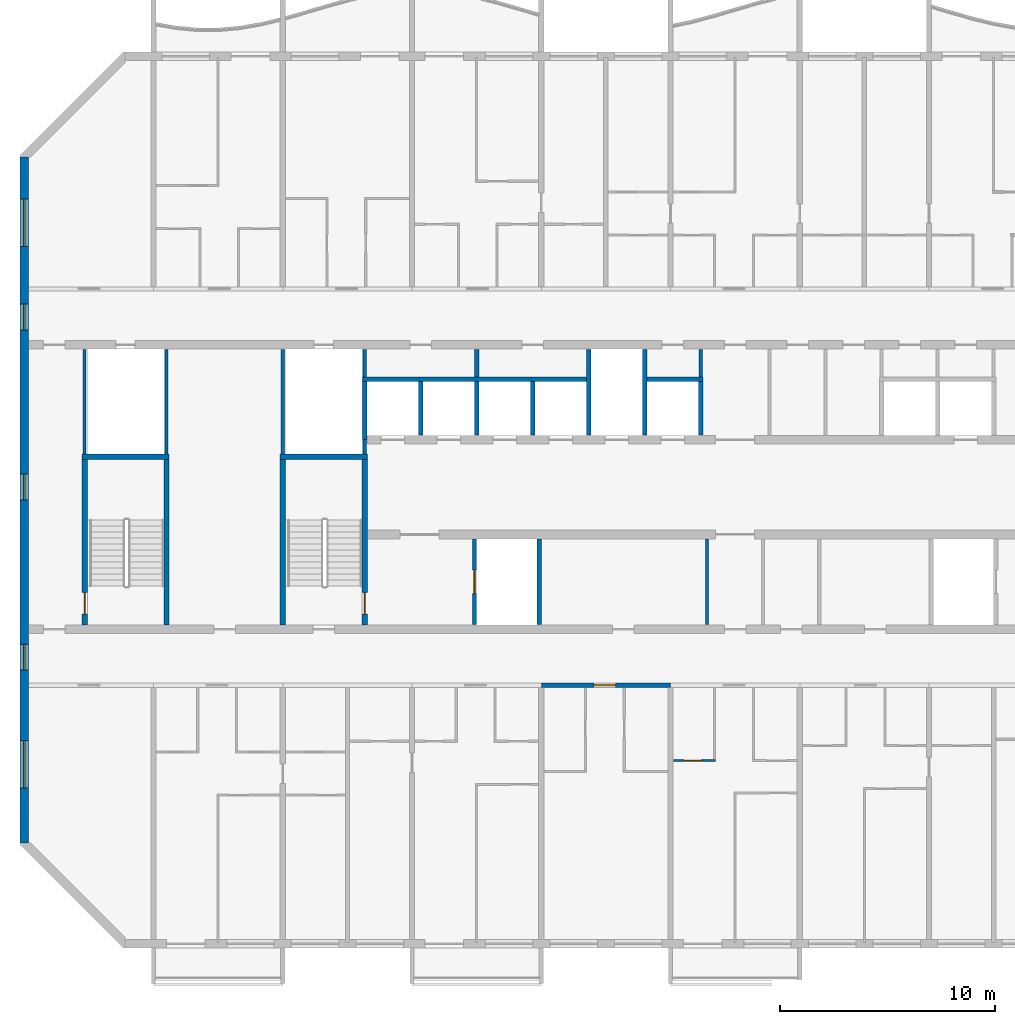
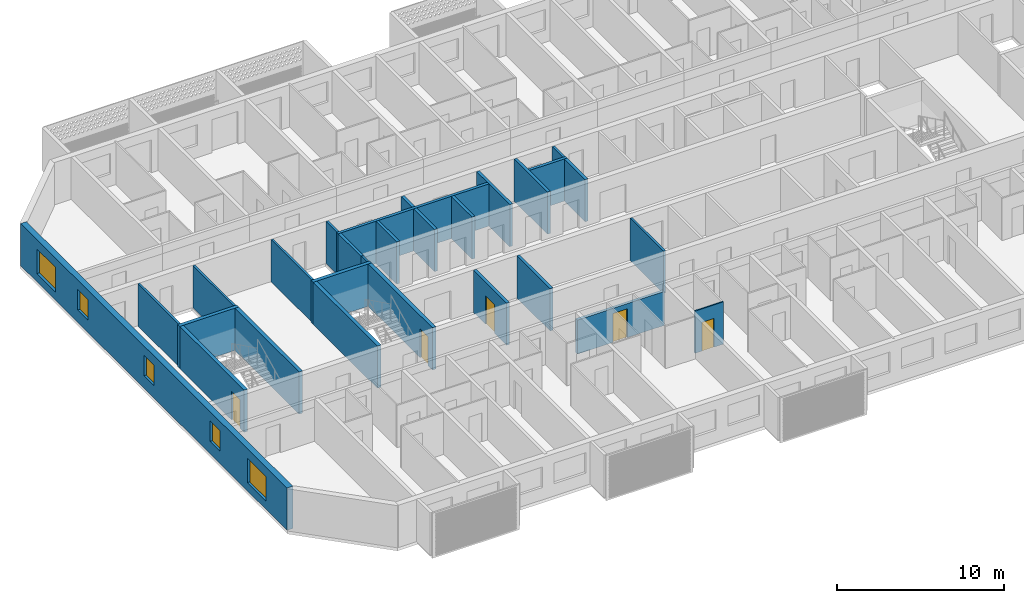
# One storey, part 3 of 27: 28 walls, 5 doors, 5 windows, 10 openings.
"""IFC4 building model written with IfcOpenShell, lengths in metres."""

from ifc_helpers import new_model, si_unit, direction, frame, frame_2d, origin, place, context, subcontext, project, spatial, rectangle, extrude, material, layer, layer_set, type_object, element, fill, save


model = new_model("IFC4")

# Units and contexts
model_context = context("Model", 3, precision=1e-05, world=origin(), true_north=direction((0.0, 1.0)))
body_context = subcontext(model_context, "Body", "Model", "MODEL_VIEW")
ifc_project = project(units=[si_unit("LENGTHUNIT", "METRE"), si_unit("AREAUNIT", "SQUARE_METRE"), si_unit("VOLUMEUNIT", "CUBIC_METRE"), si_unit("PLANEANGLEUNIT", "RADIAN"), si_unit("MASSUNIT", "GRAM", prefix="KILO")], contexts=[model_context])

# Site, building, storey
site_placement = place(None, origin())
site = spatial("IfcSite", under=ifc_project, at=site_placement, CompositionType="ELEMENT")
building_placement = place(site_placement, origin())
building = spatial("IfcBuilding", under=site, at=building_placement, Name="Poui Terraces", CompositionType="ELEMENT")
storey_placement = place(building_placement, frame((0.0, 0.0, 204.89990234375)))
storey = spatial("IfcBuildingStorey", under=building, at=storey_placement, Name="L57", CompositionType="ELEMENT", Elevation=204.89990234375)

# Walls
ifc_material_1 = material(Name="Fire-rated plasterboard wall")
ifc_layer_1 = layer(ifc_material_1, 0.14990234375)
ifc_layer_set_1 = layer_set([ifc_layer_1], Name="Fire-rated plasterboard wall")
wall_type_1 = type_object("IfcWallType", Name="CORRIDOR WALL 150", PredefinedType="PARTITIONING", material=ifc_layer_set_1)
wall_1_placement = place(storey_placement, frame((49.39990234375, 26.300048828125, 0.0), z_axis=(0.0, 0.0, 1.0), x_axis=(0.0, 1.0, 0.0)))
element("IfcWall", 1, at=wall_1_placement, inside=storey, type_object=wall_type_1, Name="CORRIDOR WALL 150", PredefinedType="PARTITIONING", context=body_context, shape_type="SweptSolid", body=[
    extrude(rectangle(XDim=1.2900390625, YDim=0.14990234375, at=frame_2d((0.64501953125, 0.0))), origin(), (0.0, 0.0, 1.0), 3.080078125),
])
wall_2_placement = place(storey_placement, frame((49.699951171875, 14.81005859375, 0.0), z_axis=(0.0, 0.0, 1.0), x_axis=(0.0, 1.0, 0.0)))
element("IfcWall", 2, at=wall_2_placement, inside=storey, type_object=wall_type_1, Name="CORRIDOR WALL 150", PredefinedType="PARTITIONING", context=body_context, shape_type="SweptSolid", body=[
    extrude(rectangle(XDim=3.97998046875, YDim=0.14990234375, at=frame_2d((1.989990234375, 0.0))), origin(), (0.0, 0.0, 1.0), 3.080078125),
])

# Wall, opening, door
ifc_material_2 = material(Name="Concrete 50 MPa", Category="concrete")
ifc_layer_2 = layer(ifc_material_2, 0.199951171875)
ifc_layer_set_2 = layer_set([ifc_layer_2], Name="Concrete 50 MPa")
wall_type_2 = type_object("IfcWallType", Name="CORRIDOR WALL 200 50MPa", PredefinedType="SHEAR", material=ifc_layer_set_2)
wall_3_placement = place(storey_placement, frame((42.0, 12.0, 0.0), z_axis=(0.0, 0.0, 1.0), x_axis=(1.0, 0.0, 0.0)))
wall_3 = element("IfcWall", 3, at=wall_3_placement, inside=storey, type_object=wall_type_2, Name="CORRIDOR WALL LINE B BAY 5", PredefinedType="SHEAR", context=body_context, shape_type="SweptSolid", body=[
    extrude(rectangle(XDim=6.0, YDim=0.199951171875, at=frame_2d((3.0, 0.0))), origin(), (0.0, 0.0, 1.0), 2.47998046875),
])
opening_1_placement = place(wall_3_placement, frame((2.449951171875, 0.0, 0.0)))
opening_1 = element("IfcOpeningElement", 4, at=opening_1_placement, cuts=wall_3, Name="Opening FD30S", PredefinedType="OPENING", context=body_context, shape_type="SweptSolid", body=[
    extrude(rectangle(XDim=1.0, YDim=2.10009765625, at=frame_2d((0.5, 1.050048828125))), frame((0.0, 0.10986328125, 0.0), z_axis=(0.0, -1.0, 0.0), x_axis=(1.0, 0.0, 0.0)), (0.0, 0.0, 1.0), 0.219970703125),
])
ifc_material_3 = material(Name="Steel fire door", Category="steel")
door_type_1 = type_object("IfcDoorType", Name="FLAT ENTRANCE DOOR 1000 X 2100", OperationType="NOTDEFINED", PredefinedType="DOOR", material=ifc_material_3)
door_1_placement = place(opening_1_placement, frame((1.0, 0.0, 0.0), z_axis=(0.0, 0.0, 1.0), x_axis=(-1.0, 0.0, 0.0)))
door_1 = element("IfcDoor", 5, at=door_1_placement, inside=storey, type_object=door_type_1, Name="FLAT ENTRANCE DOOR 081", OperationType="SINGLE_SWING_RIGHT", OverallHeight=2.10009765625, OverallWidth=1.0, PredefinedType="DOOR", context=body_context, shape_type="SweptSolid", body=[
    extrude(rectangle(XDim=1.0, YDim=2.10009765625, at=frame_2d((0.5, 1.050048828125))), frame((0.0, 0.02490234375, 0.0), z_axis=(0.0, -1.0, 0.0), x_axis=(1.0, 0.0, 0.0)), (0.0, 0.0, 1.0), 0.050048828125),
])
fill(opening_1, door_1)

# Wall, openings, windows
ifc_layer_3 = layer(ifc_material_2, 0.39990234375)
ifc_layer_set_3 = layer_set([ifc_layer_3], Name="Concrete 50 MPa")
wall_type_3 = type_object("IfcWallType", Name="END WALL 400 50MPa", PredefinedType="SHEAR", material=ifc_layer_set_3)
wall_4_placement = place(storey_placement, frame((18.0, 4.682861328125, 0.0), z_axis=(0.0, 0.0, 1.0), x_axis=(0.0, 1.0, 0.0)))
wall_4 = element("IfcWall", 6, at=wall_4_placement, inside=storey, type_object=wall_type_3, Name="END WALL WEST", PredefinedType="SHEAR", context=body_context, shape_type="SweptSolid", body=[
    extrude(rectangle(XDim=31.834228515625, YDim=0.39990234375, at=frame_2d((15.9169921875, 0.0))), origin(), (0.0, 0.0, 1.0), 3.080078125),
])
opening_2_placement = place(wall_4_placement, frame((23.817138671875, 0.0, 0.89990234375)))
opening_2 = element("IfcOpeningElement", 7, at=opening_2_placement, cuts=wall_4, Name="Opening W2", PredefinedType="OPENING", context=body_context, shape_type="SweptSolid", body=[
    extrude(rectangle(XDim=1.199951171875, YDim=1.5, at=frame_2d((0.60009765625, 0.75))), frame((0.0, 0.2099609375, 0.0), z_axis=(0.0, -1.0, 0.0), x_axis=(1.0, 0.0, 0.0)), (0.0, 0.0, 1.0), 0.419921875),
])
opening_3_placement = place(wall_4_placement, frame((8.01708984375, 0.0, 0.89990234375)))
opening_3 = element("IfcOpeningElement", 8, at=opening_3_placement, cuts=wall_4, Name="Opening W2", PredefinedType="OPENING", context=body_context, shape_type="SweptSolid", body=[
    extrude(rectangle(XDim=1.199951171875, YDim=1.5, at=frame_2d((0.60009765625, 0.75))), frame((0.0, 0.2099609375, 0.0), z_axis=(0.0, -1.0, 0.0), x_axis=(1.0, 0.0, 0.0)), (0.0, 0.0, 1.0), 0.419921875),
])
opening_4_placement = place(wall_4_placement, frame((27.693603515625, 0.0, 0.60009765625)))
opening_4 = element("IfcOpeningElement", 9, at=opening_4_placement, cuts=wall_4, Name="Opening W3", PredefinedType="OPENING", context=body_context, shape_type="SweptSolid", body=[
    extrude(rectangle(XDim=2.199951171875, YDim=1.800048828125, at=frame_2d((1.10009765625, 0.89990234375))), frame((0.0, 0.2099609375, 0.0), z_axis=(0.0, -1.0, 0.0), x_axis=(1.0, 0.0, 0.0)), (0.0, 0.0, 1.0), 0.419921875),
])
opening_5_placement = place(wall_4_placement, frame((2.541015625, 0.0, 0.60009765625)))
opening_5 = element("IfcOpeningElement", 10, at=opening_5_placement, cuts=wall_4, Name="Opening W3", PredefinedType="OPENING", context=body_context, shape_type="SweptSolid", body=[
    extrude(rectangle(XDim=2.199951171875, YDim=1.800048828125, at=frame_2d((1.10009765625, 0.89990234375))), frame((0.0, 0.2099609375, 0.0), z_axis=(0.0, -1.0, 0.0), x_axis=(1.0, 0.0, 0.0)), (0.0, 0.0, 1.0), 0.419921875),
])
opening_6_placement = place(wall_4_placement, frame((15.917236328125, 0.0, 0.89990234375)))
opening_6 = element("IfcOpeningElement", 11, at=opening_6_placement, cuts=wall_4, Name="Opening W2", PredefinedType="OPENING", context=body_context, shape_type="SweptSolid", body=[
    extrude(rectangle(XDim=1.199951171875, YDim=1.5, at=frame_2d((0.60009765625, 0.75))), frame((0.0, 0.2099609375, 0.0), z_axis=(0.0, -1.0, 0.0), x_axis=(1.0, 0.0, 0.0)), (0.0, 0.0, 1.0), 0.419921875),
])
ifc_material_4 = material(Name="Clear glass in aluminium frame", Category="aluminium")
window_type_1 = type_object("IfcWindowType", Name="WINDOW 1200X1500", PartitioningType="SINGLE_PANEL", PredefinedType="WINDOW", material=ifc_material_4)
window_1_placement = place(opening_2_placement, origin())
window_1 = element("IfcWindow", 12, at=window_1_placement, inside=storey, type_object=window_type_1, Name="W2 WINDOW", OverallHeight=1.5, OverallWidth=1.199951171875, PartitioningType="SINGLE_PANEL", PredefinedType="WINDOW", context=body_context, shape_type="SweptSolid", body=[
    extrude(rectangle(XDim=1.199951171875, YDim=1.5, at=frame_2d((0.60009765625, 0.75))), frame((0.0, 0.030029296875, 0.0), z_axis=(0.0, -1.0, 0.0), x_axis=(1.0, 0.0, 0.0)), (0.0, 0.0, 1.0), 0.06005859375),
])
fill(opening_2, window_1)
window_2_placement = place(opening_3_placement, origin())
window_2 = element("IfcWindow", 13, at=window_2_placement, inside=storey, type_object=window_type_1, Name="W2 WINDOW", OverallHeight=1.5, OverallWidth=1.199951171875, PartitioningType="SINGLE_PANEL", PredefinedType="WINDOW", context=body_context, shape_type="SweptSolid", body=[
    extrude(rectangle(XDim=1.199951171875, YDim=1.5, at=frame_2d((0.60009765625, 0.75))), frame((0.0, 0.030029296875, 0.0), z_axis=(0.0, -1.0, 0.0), x_axis=(1.0, 0.0, 0.0)), (0.0, 0.0, 1.0), 0.06005859375),
])
fill(opening_3, window_2)
window_3_placement = place(opening_6_placement, origin())
window_3 = element("IfcWindow", 14, at=window_3_placement, inside=storey, type_object=window_type_1, Name="W2 WINDOW", OverallHeight=1.5, OverallWidth=1.199951171875, PartitioningType="SINGLE_PANEL", PredefinedType="WINDOW", context=body_context, shape_type="SweptSolid", body=[
    extrude(rectangle(XDim=1.199951171875, YDim=1.5, at=frame_2d((0.60009765625, 0.75))), frame((0.0, 0.030029296875, 0.0), z_axis=(0.0, -1.0, 0.0), x_axis=(1.0, 0.0, 0.0)), (0.0, 0.0, 1.0), 0.06005859375),
])
fill(opening_6, window_3)
window_type_2 = type_object("IfcWindowType", Name="WINDOW 2200X1800", PartitioningType="DOUBLE_PANEL_HORIZONTAL", PredefinedType="WINDOW", material=ifc_material_4)
window_4_placement = place(opening_4_placement, origin())
window_4 = element("IfcWindow", 15, at=window_4_placement, inside=storey, type_object=window_type_2, Name="W3 WINDOW", OverallHeight=1.800048828125, OverallWidth=2.199951171875, PartitioningType="DOUBLE_PANEL_HORIZONTAL", PredefinedType="WINDOW", context=body_context, shape_type="SweptSolid", body=[
    extrude(rectangle(XDim=2.199951171875, YDim=1.800048828125, at=frame_2d((1.10009765625, 0.89990234375))), frame((0.0, 0.030029296875, 0.0), z_axis=(0.0, -1.0, 0.0), x_axis=(1.0, 0.0, 0.0)), (0.0, 0.0, 1.0), 0.06005859375),
])
fill(opening_4, window_4)
window_5_placement = place(opening_5_placement, origin())
window_5 = element("IfcWindow", 16, at=window_5_placement, inside=storey, type_object=window_type_2, Name="W3 WINDOW", OverallHeight=1.800048828125, OverallWidth=2.199951171875, PartitioningType="DOUBLE_PANEL_HORIZONTAL", PredefinedType="WINDOW", context=body_context, shape_type="SweptSolid", body=[
    extrude(rectangle(XDim=2.199951171875, YDim=1.800048828125, at=frame_2d((1.10009765625, 0.89990234375))), frame((0.0, 0.030029296875, 0.0), z_axis=(0.0, -1.0, 0.0), x_axis=(1.0, 0.0, 0.0)), (0.0, 0.0, 1.0), 0.06005859375),
])
fill(opening_5, window_5)

# Wall, opening, door
ifc_material_5 = material(Name="Plasterboard partition")
ifc_layer_4 = layer(ifc_material_5, 0.10009765625)
ifc_layer_set_4 = layer_set([ifc_layer_4], Name="Plasterboard partition")
wall_type_4 = type_object("IfcWallType", Name="FLAT PARTITION 100", PredefinedType="PARTITIONING", material=ifc_layer_set_4)
wall_5_placement = place(storey_placement, frame((48.135009765625, 8.5, 0.0), z_axis=(0.0, 0.0, 1.0), x_axis=(1.0, 0.0, 0.0)))
wall_5 = element("IfcWall", 17, at=wall_5_placement, inside=storey, type_object=wall_type_4, Name="FLAT PARTITION 100", PredefinedType="PARTITIONING", context=body_context, shape_type="SweptSolid", body=[
    extrude(rectangle(XDim=1.965087890625, YDim=0.10009765625, at=frame_2d((0.982421875, 0.0))), origin(), (0.0, 0.0, 1.0), 3.080078125),
])
opening_7_placement = place(wall_5_placement, frame((0.489990234375, 0.0, 0.0)))
opening_7 = element("IfcOpeningElement", 18, at=opening_7_placement, cuts=wall_5, Name="Opening D80", PredefinedType="OPENING", context=body_context, shape_type="SweptSolid", body=[
    extrude(rectangle(XDim=0.800048828125, YDim=2.10009765625, at=frame_2d((0.39990234375, 1.050048828125))), frame((0.0, 0.06005859375, 0.0), z_axis=(0.0, -1.0, 0.0), x_axis=(1.0, 0.0, 0.0)), (0.0, 0.0, 1.0), 0.1201171875),
])
ifc_material_6 = material(Name="Solid core timber door", Category="wood")
door_type_2 = type_object("IfcDoorType", Name="BATHROOM, LAUNDRY AND STORE DOOR 800 X 2100", OperationType="NOTDEFINED", PredefinedType="DOOR", material=ifc_material_6)
door_2_placement = place(opening_7_placement, origin())
door_2 = element("IfcDoor", 19, at=door_2_placement, inside=storey, type_object=door_type_2, Name="BATHROOM, LAUNDRY AND STORE DOOR 083", OperationType="SINGLE_SWING_LEFT", OverallHeight=2.10009765625, OverallWidth=0.800048828125, PredefinedType="DOOR", context=body_context, shape_type="SweptSolid", body=[
    extrude(rectangle(XDim=0.800048828125, YDim=2.10009765625, at=frame_2d((0.39990234375, 1.050048828125))), frame((0.0, 0.02490234375, 0.0), z_axis=(0.0, -1.0, 0.0), x_axis=(1.0, 0.0, 0.0)), (0.0, 0.0, 1.0), 0.050048828125),
])
fill(opening_7, door_2)

# Walls
ifc_material_7 = material(Name="Fire-rated masonry wall", Category="masonry")
ifc_layer_5 = layer(ifc_material_7, 0.199951171875)
ifc_layer_set_5 = layer_set([ifc_layer_5], Name="Fire-rated masonry wall")
wall_type_5 = type_object("IfcWallType", Name="PLANT ROOM WALL 200", PredefinedType="PARTITIONING", material=ifc_layer_set_5)
wall_6_placement = place(storey_placement, frame((39.0, 26.300048828125, 0.0), z_axis=(0.0, 0.0, 1.0), x_axis=(0.0, 1.0, 0.0)))
element("IfcWall", 20, at=wall_6_placement, inside=storey, type_object=wall_type_5, Name="PLANT ROOM WALL 200", PredefinedType="PARTITIONING", context=body_context, shape_type="SweptSolid", body=[
    extrude(rectangle(XDim=1.2900390625, YDim=0.199951171875, at=frame_2d((0.64501953125, 0.0))), origin(), (0.0, 0.0, 1.0), 3.080078125),
])
ifc_material_8 = material(Name="Fire-rated plasterboard riser wall")
ifc_layer_6 = layer(ifc_material_8, 0.14990234375)
ifc_layer_set_6 = layer_set([ifc_layer_6], Name="Fire-rated plasterboard riser wall")
wall_type_6 = type_object("IfcWallType", Name="RISER WALL 150", PredefinedType="PARTITIONING", material=ifc_layer_set_6)
for number, where, z_axis, x_axis, name in (
    (21, (20.800048828125, 22.735107421875, 0.0), (0.0, 0.0, 1.0), (0.0, 1.0, 0.0), "RISER WALL 150"),
    (22, (24.60009765625, 22.735107421875, 0.0), (0.0, 0.0, 1.0), (0.0, 1.0, 0.0), "RISER WALL 150"),
    (23, (30.0, 22.735107421875, 0.0), (0.0, 0.0, 1.0), (0.0, 1.0, 0.0), "RISER WALL 150"),
):
    element("IfcWall", number, at=place(storey_placement, frame(where, z_axis=z_axis, x_axis=x_axis)), inside=storey, type_object=wall_type_6, Name=name, PredefinedType="PARTITIONING", context=body_context, shape_type="SweptSolid", body=[
        extrude(rectangle(XDim=4.85498046875, YDim=0.14990234375, at=frame_2d((2.427490234375, 0.0))), origin(), (0.0, 0.0, 1.0), 3.080078125),
    ])
wall_7_placement = place(storey_placement, frame((33.800048828125, 22.735107421875, 0.0), z_axis=(0.0, 0.0, 1.0), x_axis=(0.0, 1.0, 0.0)))
element("IfcWall", 24, at=wall_7_placement, inside=storey, type_object=wall_type_6, Name="RISER WALL 150", PredefinedType="PARTITIONING", context=body_context, shape_type="SweptSolid", body=[
    extrude(rectangle(XDim=0.664794921875, YDim=0.14990234375, at=frame_2d((0.33251953125, 0.0))), origin(), (0.0, 0.0, 1.0), 3.080078125),
])
wall_8_placement = place(storey_placement, frame((33.800048828125, 26.300048828125, 0.0), z_axis=(0.0, 0.0, 1.0), x_axis=(0.0, 1.0, 0.0)))
element("IfcWall", 25, at=wall_8_placement, inside=storey, type_object=wall_type_6, Name="RISER WALL 150", PredefinedType="PARTITIONING", context=body_context, shape_type="SweptSolid", body=[
    extrude(rectangle(XDim=1.2900390625, YDim=0.14990234375, at=frame_2d((0.64501953125, 0.0))), origin(), (0.0, 0.0, 1.0), 3.080078125),
])
ifc_material_9 = material(Name="Fire-rated masonry shaft wall", Category="masonry")
ifc_layer_7 = layer(ifc_material_9, 0.199951171875)
ifc_layer_set_7 = layer_set([ifc_layer_7], Name="Fire-rated masonry shaft wall")
wall_type_7 = type_object("IfcWallType", Name="SHAFT WALL 200", PredefinedType="PARTITIONING", material=ifc_layer_set_7)
wall_9_placement = place(storey_placement, frame((33.699951171875, 26.199951171875, 0.0), z_axis=(0.0, 0.0, 1.0), x_axis=(1.0, 0.0, 0.0)))
element("IfcWall", 26, at=wall_9_placement, inside=storey, type_object=wall_type_7, Name="SHAFT WALL 200", PredefinedType="PARTITIONING", context=body_context, shape_type="SweptSolid", body=[
    extrude(rectangle(XDim=10.400146484375, YDim=0.199951171875, at=frame_2d((5.2001953125, 0.0))), origin(), (0.0, 0.0, 1.0), 3.080078125),
])
wall_10_placement = place(storey_placement, frame((46.89990234375, 26.199951171875, 0.0), z_axis=(0.0, 0.0, 1.0), x_axis=(1.0, 0.0, 0.0)))
element("IfcWall", 27, at=wall_10_placement, inside=storey, type_object=wall_type_7, Name="SHAFT WALL 200", PredefinedType="PARTITIONING", context=body_context, shape_type="SweptSolid", body=[
    extrude(rectangle(XDim=2.60009765625, YDim=0.199951171875, at=frame_2d((1.300048828125, 0.0))), origin(), (0.0, 0.0, 1.0), 3.080078125),
])
wall_11_placement = place(storey_placement, frame((33.800048828125, 23.39990234375, 0.0), z_axis=(0.0, 0.0, 1.0), x_axis=(0.0, 1.0, 0.0)))
element("IfcWall", 28, at=wall_11_placement, inside=storey, type_object=wall_type_7, Name="SHAFT WALL 200", PredefinedType="PARTITIONING", context=body_context, shape_type="SweptSolid", body=[
    extrude(rectangle(XDim=2.7001953125, YDim=0.199951171875, at=frame_2d((1.35009765625, 0.0))), origin(), (0.0, 0.0, 1.0), 3.080078125),
])
wall_12_placement = place(storey_placement, frame((36.39990234375, 23.610107421875, 0.0), z_axis=(0.0, 0.0, 1.0), x_axis=(0.0, 1.0, 0.0)))
element("IfcWall", 29, at=wall_12_placement, inside=storey, type_object=wall_type_7, Name="SHAFT WALL 200", PredefinedType="PARTITIONING", context=body_context, shape_type="SweptSolid", body=[
    extrude(rectangle(XDim=2.489990234375, YDim=0.199951171875, at=frame_2d((1.2451171875, 0.0))), origin(), (0.0, 0.0, 1.0), 3.080078125),
])

# Wall, opening, door
wall_13_placement = place(storey_placement, frame((38.89990234375, 14.81005859375, 0.0), z_axis=(0.0, 0.0, 1.0), x_axis=(0.0, 1.0, 0.0)))
wall_13 = element("IfcWall", 30, at=wall_13_placement, inside=storey, type_object=wall_type_7, Name="SHAFT WALL 200", PredefinedType="PARTITIONING", context=body_context, shape_type="SweptSolid", body=[
    extrude(rectangle(XDim=3.97998046875, YDim=0.199951171875, at=frame_2d((1.989990234375, 0.0))), origin(), (0.0, 0.0, 1.0), 3.080078125),
])
opening_8_placement = place(wall_13_placement, frame((1.43994140625, 0.0, 0.0)))
opening_8 = element("IfcOpeningElement", 31, at=opening_8_placement, cuts=wall_13, Name="Opening LD", PredefinedType="OPENING", context=body_context, shape_type="SweptSolid", body=[
    extrude(rectangle(XDim=1.10009765625, YDim=2.10009765625, at=frame_2d((0.550048828125, 1.050048828125))), frame((0.0, 0.10986328125, 0.0), z_axis=(0.0, -1.0, 0.0), x_axis=(1.0, 0.0, 0.0)), (0.0, 0.0, 1.0), 0.219970703125),
])
ifc_material_10 = material(Name="Stainless steel sliding door", Category="steel")
door_type_3 = type_object("IfcDoorType", Name="LIFT LANDING DOOR 1100 X 2100", OperationType="DOUBLE_DOOR_SLIDING", PredefinedType="DOOR", material=ifc_material_10)
door_3_placement = place(opening_8_placement, origin())
door_3 = element("IfcDoor", 32, at=door_3_placement, inside=storey, type_object=door_type_3, Name="LANDING DOOR", OperationType="DOUBLE_DOOR_SLIDING", OverallHeight=2.10009765625, OverallWidth=1.10009765625, PredefinedType="DOOR", context=body_context, shape_type="SweptSolid", body=[
    extrude(rectangle(XDim=1.10009765625, YDim=2.10009765625, at=frame_2d((0.550048828125, 1.050048828125))), frame((0.0, 0.02490234375, 0.0), z_axis=(0.0, -1.0, 0.0), x_axis=(1.0, 0.0, 0.0)), (0.0, 0.0, 1.0), 0.050048828125),
])
fill(opening_8, door_3)

# Walls
for number, where, z_axis, x_axis, name in (
    (33, (39.0, 23.610107421875, 0.0), (0.0, 0.0, 1.0), (0.0, 1.0, 0.0), "SHAFT WALL 200"),
    (34, (41.60009765625, 23.610107421875, 0.0), (0.0, 0.0, 1.0), (0.0, 1.0, 0.0), "SHAFT WALL 200"),
):
    element("IfcWall", number, at=place(storey_placement, frame(where, z_axis=z_axis, x_axis=x_axis)), inside=storey, type_object=wall_type_7, Name=name, PredefinedType="PARTITIONING", context=body_context, shape_type="SweptSolid", body=[
        extrude(rectangle(XDim=2.489990234375, YDim=0.199951171875, at=frame_2d((1.2451171875, 0.0))), origin(), (0.0, 0.0, 1.0), 3.080078125),
    ])
for number, where, z_axis, x_axis, name in (
    (35, (41.89990234375, 14.81005859375, 0.0), (0.0, 0.0, 1.0), (0.0, 1.0, 0.0), "SHAFT WALL 200"),
    (36, (44.199951171875, 23.610107421875, 0.0), (0.0, 0.0, 1.0), (0.0, 1.0, 0.0), "SHAFT WALL 200"),
    (37, (46.800048828125, 23.610107421875, 0.0), (0.0, 0.0, 1.0), (0.0, 1.0, 0.0), "SHAFT WALL 200"),
):
    element("IfcWall", number, at=place(storey_placement, frame(where, z_axis=z_axis, x_axis=x_axis)), inside=storey, type_object=wall_type_7, Name=name, PredefinedType="PARTITIONING", context=body_context, shape_type="SweptSolid", body=[
        extrude(rectangle(XDim=3.97998046875, YDim=0.199951171875, at=frame_2d((1.989990234375, 0.0))), origin(), (0.0, 0.0, 1.0), 3.080078125),
    ])
wall_14_placement = place(storey_placement, frame((49.39990234375, 23.610107421875, 0.0), z_axis=(0.0, 0.0, 1.0), x_axis=(0.0, 1.0, 0.0)))
element("IfcWall", 38, at=wall_14_placement, inside=storey, type_object=wall_type_7, Name="SHAFT WALL 200", PredefinedType="PARTITIONING", context=body_context, shape_type="SweptSolid", body=[
    extrude(rectangle(XDim=2.489990234375, YDim=0.199951171875, at=frame_2d((1.2451171875, 0.0))), origin(), (0.0, 0.0, 1.0), 3.080078125),
])
ifc_layer_8 = layer(ifc_material_2, 0.25)
ifc_layer_set_8 = layer_set([ifc_layer_8], Name="Concrete 50 MPa")
wall_type_8 = type_object("IfcWallType", Name="STAIR CORE WALL 250 50 MPA", PredefinedType="SOLIDWALL", material=ifc_layer_set_8)
wall_15_placement = place(storey_placement, frame((30.0, 14.800048828125, 0.0), z_axis=(0.0, 0.0, 1.0), x_axis=(0.0, 1.0, 0.0)))
element("IfcWall", 39, at=wall_15_placement, inside=storey, type_object=wall_type_8, Name="STAIR CORE WALL", PredefinedType="SOLIDWALL", context=body_context, shape_type="SweptSolid", body=[
    extrude(rectangle(XDim=7.675048828125, YDim=0.25, at=frame_2d((3.83740234375, 0.0))), origin(), (0.0, 0.0, 1.0), 3.080078125),
])

# Wall, opening, door
wall_16_placement = place(storey_placement, frame((33.800048828125, 14.800048828125, 0.0), z_axis=(0.0, 0.0, 1.0), x_axis=(0.0, 1.0, 0.0)))
wall_16 = element("IfcWall", 40, at=wall_16_placement, inside=storey, type_object=wall_type_8, Name="STAIR CORE WALL", PredefinedType="SOLIDWALL", context=body_context, shape_type="SweptSolid", body=[
    extrude(rectangle(XDim=7.675048828125, YDim=0.25, at=frame_2d((3.83740234375, 0.0))), origin(), (0.0, 0.0, 1.0), 3.080078125),
])
opening_9_placement = place(wall_16_placement, frame((0.5, 0.0, 0.0)))
opening_9 = element("IfcOpeningElement", 41, at=opening_9_placement, cuts=wall_16, Name="Opening FD60S", PredefinedType="OPENING", context=body_context, shape_type="SweptSolid", body=[
    extrude(rectangle(XDim=1.0, YDim=2.10009765625, at=frame_2d((0.5, 1.050048828125))), frame((0.0, 0.135009765625, 0.0), z_axis=(0.0, -1.0, 0.0), x_axis=(1.0, 0.0, 0.0)), (0.0, 0.0, 1.0), 0.27001953125),
])
door_type_4 = type_object("IfcDoorType", Name="STAIR DOOR 1000 X 2100", OperationType="NOTDEFINED", PredefinedType="DOOR", material=ifc_material_3)
door_4_placement = place(opening_9_placement, origin())
door_4 = element("IfcDoor", 42, at=door_4_placement, inside=storey, type_object=door_type_4, Name="STAIR DOOR 104", OperationType="SINGLE_SWING_LEFT", OverallHeight=2.10009765625, OverallWidth=1.0, PredefinedType="DOOR", context=body_context, shape_type="SweptSolid", body=[
    extrude(rectangle(XDim=1.0, YDim=2.10009765625, at=frame_2d((0.5, 1.050048828125))), frame((0.0, 0.02490234375, 0.0), z_axis=(0.0, -1.0, 0.0), x_axis=(1.0, 0.0, 0.0)), (0.0, 0.0, 1.0), 0.050048828125),
])
fill(opening_9, door_4)

# Wall
wall_17_placement = place(storey_placement, frame((29.875, 22.60009765625, 0.0), z_axis=(0.0, 0.0, 1.0), x_axis=(1.0, 0.0, 0.0)))
element("IfcWall", 43, at=wall_17_placement, inside=storey, type_object=wall_type_8, Name="STAIR CORE WALL", PredefinedType="SOLIDWALL", context=body_context, shape_type="SweptSolid", body=[
    extrude(rectangle(XDim=4.050048828125, YDim=0.25, at=frame_2d((2.02490234375, 0.0))), origin(), (0.0, 0.0, 1.0), 3.080078125),
])

# Wall, opening, door
wall_18_placement = place(storey_placement, frame((20.800048828125, 14.800048828125, 0.0), z_axis=(0.0, 0.0, 1.0), x_axis=(0.0, 1.0, 0.0)))
wall_18 = element("IfcWall", 44, at=wall_18_placement, inside=storey, type_object=wall_type_8, Name="STAIR CORE WALL", PredefinedType="SOLIDWALL", context=body_context, shape_type="SweptSolid", body=[
    extrude(rectangle(XDim=7.675048828125, YDim=0.25, at=frame_2d((3.83740234375, 0.0))), origin(), (0.0, 0.0, 1.0), 3.080078125),
])
opening_10_placement = place(wall_18_placement, frame((0.5, 0.0, 0.0)))
opening_10 = element("IfcOpeningElement", 45, at=opening_10_placement, cuts=wall_18, Name="Opening FD60S", PredefinedType="OPENING", context=body_context, shape_type="SweptSolid", body=[
    extrude(rectangle(XDim=1.0, YDim=2.10009765625, at=frame_2d((0.5, 1.050048828125))), frame((0.0, 0.135009765625, 0.0), z_axis=(0.0, -1.0, 0.0), x_axis=(1.0, 0.0, 0.0)), (0.0, 0.0, 1.0), 0.27001953125),
])
door_5_placement = place(opening_10_placement, frame((1.0, 0.0, 0.0), z_axis=(0.0, 0.0, 1.0), x_axis=(-1.0, 0.0, 0.0)))
door_5 = element("IfcDoor", 46, at=door_5_placement, inside=storey, type_object=door_type_4, Name="STAIR DOOR 118", OperationType="SINGLE_SWING_RIGHT", OverallHeight=2.10009765625, OverallWidth=1.0, PredefinedType="DOOR", context=body_context, shape_type="SweptSolid", body=[
    extrude(rectangle(XDim=1.0, YDim=2.10009765625, at=frame_2d((0.5, 1.050048828125))), frame((0.0, 0.02490234375, 0.0), z_axis=(0.0, -1.0, 0.0), x_axis=(1.0, 0.0, 0.0)), (0.0, 0.0, 1.0), 0.050048828125),
])
fill(opening_10, door_5)

# Walls
wall_19_placement = place(storey_placement, frame((24.60009765625, 14.800048828125, 0.0), z_axis=(0.0, 0.0, 1.0), x_axis=(0.0, 1.0, 0.0)))
element("IfcWall", 47, at=wall_19_placement, inside=storey, type_object=wall_type_8, Name="STAIR CORE WALL", PredefinedType="SOLIDWALL", context=body_context, shape_type="SweptSolid", body=[
    extrude(rectangle(XDim=7.675048828125, YDim=0.25, at=frame_2d((3.83740234375, 0.0))), origin(), (0.0, 0.0, 1.0), 3.080078125),
])
wall_20_placement = place(storey_placement, frame((20.675048828125, 22.60009765625, 0.0), z_axis=(0.0, 0.0, 1.0), x_axis=(1.0, 0.0, 0.0)))
element("IfcWall", 48, at=wall_20_placement, inside=storey, type_object=wall_type_8, Name="STAIR CORE WALL", PredefinedType="SOLIDWALL", context=body_context, shape_type="SweptSolid", body=[
    extrude(rectangle(XDim=4.050048828125, YDim=0.25, at=frame_2d((2.02490234375, 0.0))), origin(), (0.0, 0.0, 1.0), 3.080078125),
])

save(model, "model.ifc")
